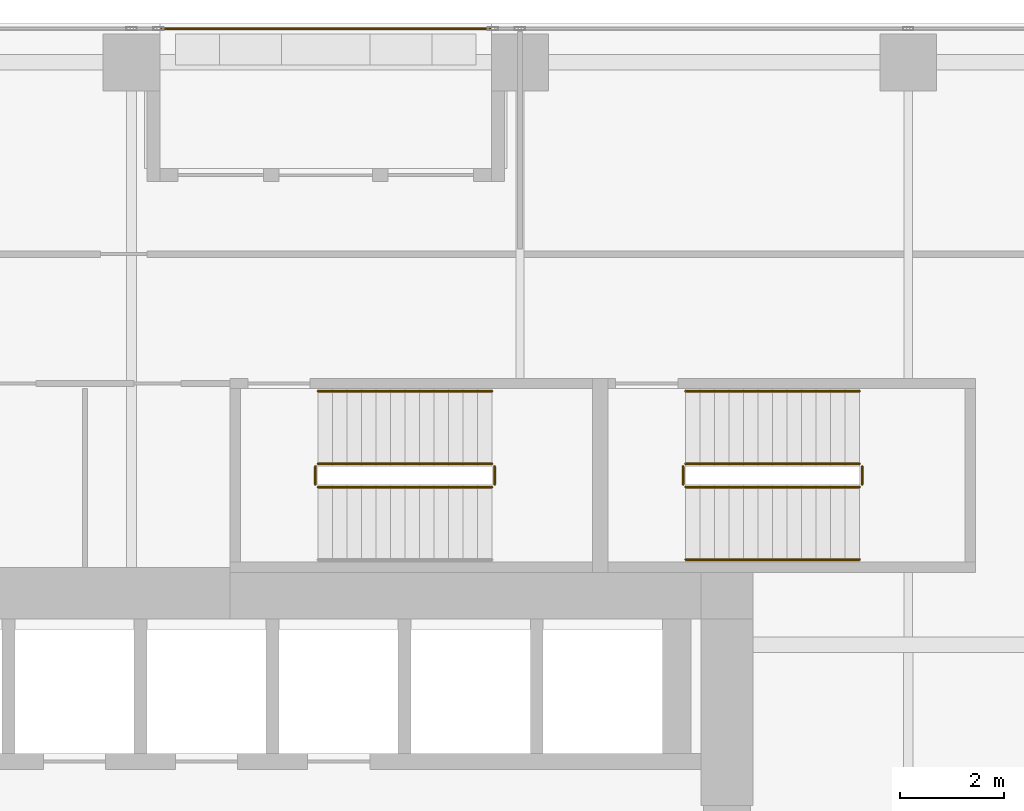
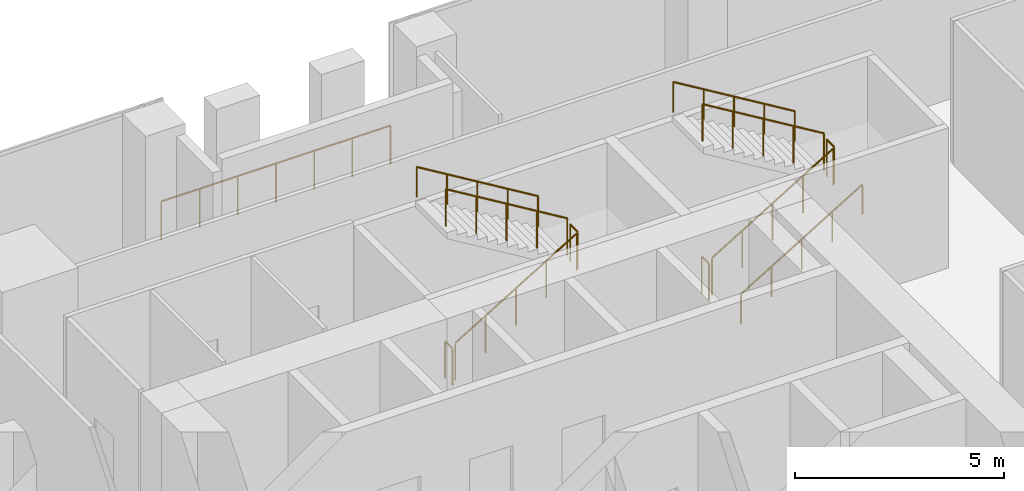
# One storey, part 33 of 34: 12 railings.
"""IFC4 building model written with IfcOpenShell, lengths in metres."""

import ifcopenshell
import ifcopenshell.guid

model = None  # the IFC model being written
_history = None  # IfcOwnerHistory: only IFC2X3 demands one
_inside = {}  # id of a spatial element -> (the spatial element, [elements in it])
_under = {}  # id of a project, library or spatial element -> (it, [spatial elements below it])
_declared = {}  # id of a project -> (the project, [libraries it declares])
_typed = {}  # id of a type object -> (the type object, [elements of that type])
_made_of = {}  # id of a material, layer set ... -> (it, [elements and type objects made of it])


def new_model(schema):
    """Start an empty IFC model of exactly this schema.

    Asked for "IFC4X3", IfcOpenShell would pick the latest addendum, in which some entities
    have other attributes; the version numbers below select the first issue.
    IFC2X3 requires an IfcOwnerHistory on every rooted entity: one is made here for all.
    """
    global model, _history
    if schema == "IFC4X3":
        model = ifcopenshell.file(schema_version=(4, 3, 0, 0))
    else:
        model = ifcopenshell.file(schema=schema)
    _inside.clear()
    _under.clear()
    _declared.clear()
    _typed.clear()
    _made_of.clear()
    _history = None
    if model.schema == "IFC2X3":
        org = make("IfcOrganization", Name="unknown")
        user = make(
            "IfcPersonAndOrganization",
            ThePerson=make("IfcPerson", FamilyName="unknown"),
            TheOrganization=org,
        )
        app = make(
            "IfcApplication",
            ApplicationDeveloper=org,
            Version="unknown",
            ApplicationFullName="unknown",
            ApplicationIdentifier="unknown",
        )
        _history = make(
            "IfcOwnerHistory",
            OwningUser=user,
            OwningApplication=app,
            ChangeAction="ADDED",
            CreationDate=0,
        )
    return model


def make(cls, **values):
    """One entity of the class cls with the attributes given. An attribute that is None is left unset."""
    return model.create_entity(
        cls, **{name: value for name, value in values.items() if value is not None}
    )


def rooted(cls, **values):
    """An entity with a GlobalId (a new one), such as an element, a storey or a relation."""
    return make(cls, GlobalId=ifcopenshell.guid.new(), OwnerHistory=_history, **values)


def si_unit(unit_type, name, prefix=None):
    """IfcSIUnit, for example si_unit("LENGTHUNIT", "METRE", prefix="MILLI")."""
    return make("IfcSIUnit", UnitType=unit_type, Prefix=prefix, Name=name)


def assignment(units):
    """IfcUnitAssignment: the units of a project."""
    return None if units is None else make("IfcUnitAssignment", Units=units)


def point(xyz):
    """IfcCartesianPoint."""
    return None if xyz is None else make("IfcCartesianPoint", Coordinates=xyz)


def direction(xyz):
    """IfcDirection."""
    return None if xyz is None else make("IfcDirection", DirectionRatios=xyz)


def frame(location, z_axis=None, x_axis=None):
    """IfcAxis2Placement3D, a coordinate frame: its origin and axes. An axis left out is left unset."""
    return make(
        "IfcAxis2Placement3D",
        Location=point(location),
        Axis=direction(z_axis),
        RefDirection=direction(x_axis),
    )


def frame_2d(location, x_axis=None):
    """IfcAxis2Placement2D, a coordinate frame in the plane: its origin and x axis."""
    return make(
        "IfcAxis2Placement2D", Location=point(location), RefDirection=direction(x_axis)
    )


def origin():
    """The frame at (0, 0, 0) with its axes left unset."""
    return frame((0.0, 0.0, 0.0))


def origin_2d():
    """The frame at (0, 0) in the plane with its x axis left unset."""
    return frame_2d((0.0, 0.0))


def place(relative_to, where):
    """IfcLocalPlacement: puts the frame where relative to a parent placement (None: the world)."""
    return make(
        "IfcLocalPlacement", PlacementRelTo=relative_to, RelativePlacement=where
    )


def context(
    kind, dimensions, precision=None, world=None, true_north=None, identifier=None
):
    """IfcGeometricRepresentationContext, for example the 3D "Model" context."""
    return make(
        "IfcGeometricRepresentationContext",
        ContextIdentifier=identifier,
        ContextType=kind,
        CoordinateSpaceDimension=dimensions,
        Precision=precision,
        WorldCoordinateSystem=world,
        TrueNorth=true_north,
    )


def subcontext(parent, identifier, kind, view, scale=None):
    """IfcGeometricRepresentationSubContext, for example "Body" below "Model"."""
    return make(
        "IfcGeometricRepresentationSubContext",
        ContextIdentifier=identifier,
        ContextType=kind,
        ParentContext=parent,
        TargetScale=scale,
        TargetView=view,
    )


def project(units=None, contexts=None):
    """IfcProject with its units and contexts."""
    return rooted(
        "IfcProject",
        Name="project",
        RepresentationContexts=contexts,
        UnitsInContext=assignment(units),
    )


def spatial(cls, under=None, at=None, **own):
    """A site, building, storey or space (cls), placed at a placement, below another one or the project."""
    s = rooted(cls, ObjectPlacement=at, **own)
    if under is not None:
        _under.setdefault(under.id(), (under, []))[1].append(s)
    return s


def profile(cls, at=None, kind="AREA", **sizes):
    """A parametric profile (cls). Its sizes go by their IFC names, for example OverallWidth=200.0."""
    return make(cls, ProfileType=kind, Position=at, **sizes)


def circle(**sizes):
    """IfcCircleProfileDef."""
    return profile("IfcCircleProfileDef", **sizes)


def extrude(swept, where, along, depth):
    """IfcExtrudedAreaSolid: the profile swept, set in the frame where, extruded along a direction by depth."""
    return make(
        "IfcExtrudedAreaSolid",
        SweptArea=swept,
        Position=where,
        ExtrudedDirection=direction(along),
        Depth=depth,
    )


def shape(context_of_items, identifier, shape_type, items):
    """IfcShapeRepresentation: the items that make up one representation, for example the "Body"."""
    return make(
        "IfcShapeRepresentation",
        ContextOfItems=context_of_items,
        RepresentationIdentifier=identifier,
        RepresentationType=shape_type,
        Items=items,
    )


def source(mapping_origin, context_of_items, identifier, shape_type, items):
    """IfcRepresentationMap: a shape defined once, which mapped items show again and again."""
    return make(
        "IfcRepresentationMap",
        MappingOrigin=mapping_origin,
        MappedRepresentation=shape(context_of_items, identifier, shape_type, items),
    )


def transform(
    local_origin,
    x_axis=None,
    y_axis=None,
    z_axis=None,
    scale=None,
    scale2=None,
    scale3=None,
    uniform=True,
):
    """IfcCartesianTransformationOperator3D, or its non-uniform kind. x_axis, y_axis, z_axis: its Axis1, 2, 3."""
    if uniform:
        return make(
            "IfcCartesianTransformationOperator3D",
            Axis1=direction(x_axis),
            Axis2=direction(y_axis),
            LocalOrigin=point(local_origin),
            Scale=scale,
            Axis3=direction(z_axis),
        )
    return make(
        "IfcCartesianTransformationOperator3DnonUniform",
        Axis1=direction(x_axis),
        Axis2=direction(y_axis),
        LocalOrigin=point(local_origin),
        Scale=scale,
        Axis3=direction(z_axis),
        Scale2=scale2,
        Scale3=scale3,
    )


def mapped(mapping_source, mapping_target):
    """IfcMappedItem: shows the shape of a source again, moved by a transform."""
    return make(
        "IfcMappedItem", MappingSource=mapping_source, MappingTarget=mapping_target
    )


def material(Name=None, Category=None):
    """IfcMaterial."""
    return make("IfcMaterial", Name=Name, Category=Category)


def made_of(thing, what):
    """Note that an element or type object is made of a material, layer set ...; save() writes the relation."""
    if what is not None:
        _made_of.setdefault(what.id(), (what, []))[1].append(thing)
    return thing


def type_object(cls, material=None, **own):
    """A type object (cls), such as IfcWallType, which elements share."""
    return made_of(rooted(cls, **own), material)


def element(
    cls,
    number,
    at=None,
    inside=None,
    cuts=None,
    type_object=None,
    material=None,
    context=None,
    identifier="Body",
    shape_type=None,
    held_by="IfcProductDefinitionShape",
    body=None,
    shapes=None,
    **own,
):
    """One element of the class cls, such as IfcWall. Its Tag is "e" and its number.

    at: its placement. inside: the storey or other place that contains it. cuts: it is an
    opening in that element (IfcRelVoidsElement). A single representation is given by context,
    identifier, shape_type and body (its items); several are given by shapes. held_by: the class
    of the entity that holds the representations. save() writes the other relations.
    """
    e = rooted(cls, Tag="e%d" % number, ObjectPlacement=at, **own)
    if body is not None:
        shapes = [shape(context, identifier, shape_type, body)]
    if shapes is not None:
        e.Representation = make(held_by, Representations=shapes)
    if inside is not None:
        _inside.setdefault(inside.id(), (inside, []))[1].append(e)
    if cuts is not None:
        rooted(
            "IfcRelVoidsElement", RelatingBuildingElement=cuts, RelatedOpeningElement=e
        )
    if type_object is not None:
        _typed.setdefault(type_object.id(), (type_object, []))[1].append(e)
    return made_of(e, material)


def aggregate(whole, parts):
    """IfcRelAggregates: a whole, such as a stair, and the parts it consists of."""
    return rooted("IfcRelAggregates", RelatingObject=whole, RelatedObjects=parts)


def save(model, path):
    """Write the relations noted so far, then the file.

    IfcRelAggregates (storeys below a building ...), IfcRelContainedInSpatialStructure (elements
    in a storey), IfcRelDefinesByType, IfcRelAssociatesMaterial and IfcRelDeclares: one each for
    every whole, place, type object, material and project.
    """
    for whole, parts in _under.values():
        aggregate(whole, parts)
    for where, things in _inside.values():
        rooted(
            "IfcRelContainedInSpatialStructure",
            RelatedElements=things,
            RelatingStructure=where,
        )
    for kind, things in _typed.values():
        rooted("IfcRelDefinesByType", RelatedObjects=things, RelatingType=kind)
    for what, things in _made_of.values():
        rooted("IfcRelAssociatesMaterial", RelatedObjects=things, RelatingMaterial=what)
    for by, libraries in _declared.values():
        rooted("IfcRelDeclares", RelatingContext=by, RelatedDefinitions=libraries)
    model.write(path)


model = new_model("IFC4")

# Units and contexts
model_context = context("Model", 3, precision=1e-05, world=origin(), true_north=direction((0.0, 1.0)))
body_context = subcontext(model_context, "Body", "Model", "MODEL_VIEW")
ifc_project = project(units=[si_unit("LENGTHUNIT", "METRE"), si_unit("AREAUNIT", "SQUARE_METRE"), si_unit("VOLUMEUNIT", "CUBIC_METRE"), si_unit("PLANEANGLEUNIT", "RADIAN"), si_unit("MASSUNIT", "GRAM", prefix="KILO")], contexts=[model_context])

# Site, building, storey
site_placement = place(None, origin())
site = spatial("IfcSite", under=ifc_project, at=site_placement, CompositionType="ELEMENT")
building_placement = place(site_placement, origin())
building = spatial("IfcBuilding", under=site, at=building_placement, Name="Khomas Fold Tower", CompositionType="ELEMENT")
storey_placement = place(building_placement, frame((0.0, 0.0, 105.89990234375)))
storey = spatial("IfcBuildingStorey", under=building, at=storey_placement, Name="L22", CompositionType="ELEMENT", Elevation=105.89990234375)

# Railings
ifc_material_1 = material(Name="Powder-coated steel", Category="steel")
railing_type_1 = type_object("IfcRailingType", Name="Balcony guard", PredefinedType="GUARDRAIL", material=ifc_material_1)
shared_shape_1 = source(origin(), body_context, "Body", "SweptSolid", [
    extrude(circle(Radius=0.02490234375, at=origin_2d()), frame((0.0, 0.0, 1.125), z_axis=(1.0, 0.0, 0.0), x_axis=(0.0, 1.0, 0.0)), (0.0, 0.0, 1.0), 6.33984375),
    extrude(circle(Radius=0.02001953125, at=origin_2d()), origin(), (0.0, 0.0, 1.0), 1.099853515625),
    extrude(circle(Radius=0.02001953125, at=origin_2d()), frame((1.056640625, 0.0, 0.0)), (0.0, 0.0, 1.0), 1.099853515625),
    extrude(circle(Radius=0.02001953125, at=origin_2d()), frame((2.11328125, 0.0, 0.0)), (0.0, 0.0, 1.0), 1.099853515625),
    extrude(circle(Radius=0.02001953125, at=origin_2d()), frame((3.169921875, 0.0, 0.0)), (0.0, 0.0, 1.0), 1.099853515625),
    extrude(circle(Radius=0.02001953125, at=origin_2d()), frame((4.2265625, 0.0, 0.0)), (0.0, 0.0, 1.0), 1.099853515625),
    extrude(circle(Radius=0.02001953125, at=origin_2d()), frame((5.283203125, 0.0, 0.0)), (0.0, 0.0, 1.0), 1.099853515625),
    extrude(circle(Radius=0.02001953125, at=origin_2d()), frame((6.33984375, 0.0, 0.0)), (0.0, 0.0, 1.0), 1.099853515625),
])
railing_1_placement = place(storey_placement, frame((12.580078125, 52.39990234375, -0.044921875)))
element("IfcRailing", 1, at=railing_1_placement, inside=storey, type_object=railing_type_1, Name="Balcony guard BAL-L22-N1", PredefinedType="GUARDRAIL", context=body_context, shape_type="MappedRepresentation", body=[
    mapped(shared_shape_1, transform((0.0, 0.0, 0.0))),
])
ifc_material_2 = material(Name="Steel balustrade", Category="steel")
railing_type_2 = type_object("IfcRailingType", Name="Stair guard", PredefinedType="GUARDRAIL", material=ifc_material_2)
shared_shape_2 = source(origin(), body_context, "Body", "SweptSolid", [
    extrude(circle(Radius=0.02392578125, at=origin_2d()), frame((0.0, 0.0, 1.076171875), z_axis=(0.0, 1.0, 0.0), x_axis=(-1.0, 0.0, 0.0)), (0.0, 0.0, 1.0), 0.349853515625),
    extrude(circle(Radius=0.02099609375, at=origin_2d()), origin(), (0.0, 0.0, 1.0), 1.052001953125),
    extrude(circle(Radius=0.02099609375, at=origin_2d()), frame((0.0, 0.349853515625, 0.0)), (0.0, 0.0, 1.0), 1.052001953125),
])
for number, where, name in (
    (2, (19.010009765625, 43.60009765625, 2.2001953125), "L22 ST1 stair guard 2"),
    (3, (15.550048828125, 43.60009765625, 0.0), "L22 ST1 stair guard 4"),
    (4, (26.110107421875, 43.60009765625, 2.2001953125), "L22 ST3 stair guard 2"),
    (5, (22.64990234375, 43.60009765625, 0.0), "L22 ST3 stair guard 4"),
):
    element("IfcRailing", number, at=place(storey_placement, frame(where)), inside=storey, type_object=railing_type_2, Name=name, PredefinedType="GUARDRAIL", context=body_context, shape_type="MappedRepresentation", body=[
        mapped(shared_shape_2, transform((0.0, 0.0, 0.0))),
    ])
shared_shape_3 = source(origin(), body_context, "Body", "SweptSolid", [
    extrude(circle(Radius=0.02392578125, at=origin_2d()), frame((0.0, 0.0, 1.076171875), z_axis=(0.855820338506, 0.0, 0.51727318527), x_axis=(0.0, 1.0, 0.0)), (0.0, 0.0, 1.0), 3.92578125),
    extrude(circle(Radius=0.02099609375, at=origin_2d()), origin(), (0.0, 0.0, 1.0), 1.052001953125),
    extrude(circle(Radius=0.02099609375, at=origin_2d()), frame((0.83984375, 0.0, 0.5078125)), (0.0, 0.0, 1.0), 1.052001953125),
    extrude(circle(Radius=0.02099609375, at=origin_2d()), frame((1.679931640625, 0.0, 1.015380859375)), (0.0, 0.0, 1.0), 1.052001953125),
    extrude(circle(Radius=0.02099609375, at=origin_2d()), frame((2.52001953125, 0.0, 1.52294921875)), (0.0, 0.0, 1.0), 1.052001953125),
    extrude(circle(Radius=0.02099609375, at=origin_2d()), frame((3.35986328125, 0.0, 2.03076171875)), (0.0, 0.0, 1.0), 1.052001953125),
])
railing_2_placement = place(storey_placement, frame((15.60009765625, 43.550048828125, 0.16943359375)))
element("IfcRailing", 6, at=railing_2_placement, inside=storey, type_object=railing_type_2, Name="L22 ST1 stair guard 1", PredefinedType="GUARDRAIL", context=body_context, shape_type="MappedRepresentation", body=[
    mapped(shared_shape_3, transform((0.0, 0.0, 0.0))),
])
shared_shape_4 = source(origin(), body_context, "Body", "SweptSolid", [
    extrude(circle(Radius=0.02392578125, at=origin_2d()), frame((0.0, 0.0, 1.076171875), z_axis=(-0.855820338506, 0.0, 0.51727318527), x_axis=(0.0, -1.0, 0.0)), (0.0, 0.0, 1.0), 3.92578125),
    extrude(circle(Radius=0.02099609375, at=origin_2d()), origin(), (0.0, 0.0, 1.0), 1.052001953125),
    extrude(circle(Radius=0.02099609375, at=origin_2d()), frame((-0.83984375, 0.0, 0.5078125)), (0.0, 0.0, 1.0), 1.052001953125),
    extrude(circle(Radius=0.02099609375, at=origin_2d()), frame((-1.679931640625, 0.0, 1.015380859375)), (0.0, 0.0, 1.0), 1.052001953125),
    extrude(circle(Radius=0.02099609375, at=origin_2d()), frame((-2.52001953125, 0.0, 1.52294921875)), (0.0, 0.0, 1.0), 1.052001953125),
    extrude(circle(Radius=0.02099609375, at=origin_2d()), frame((-3.35986328125, 0.0, 2.03076171875)), (0.0, 0.0, 1.0), 1.052001953125),
])
railing_3_placement = place(storey_placement, frame((18.9599609375, 44.0, 2.369384765625)))
element("IfcRailing", 7, at=railing_3_placement, inside=storey, type_object=railing_type_2, Name="L22 ST1 stair guard 3", PredefinedType="GUARDRAIL", context=body_context, shape_type="MappedRepresentation", body=[
    mapped(shared_shape_4, transform((0.0, 0.0, 0.0))),
])
ifc_material_3 = material(Name="Steel handrail", Category="steel")
railing_type_3 = type_object("IfcRailingType", Name="Stair handrail", PredefinedType="HANDRAIL", material=ifc_material_3)
shared_shape_5 = source(origin(), body_context, "Body", "SweptSolid", [
    extrude(circle(Radius=0.02392578125, at=origin_2d()), frame((0.0, 0.0, 0.8759765625), z_axis=(-0.855820338506, 0.0, 0.51727318527), x_axis=(0.0, -1.0, 0.0)), (0.0, 0.0, 1.0), 3.92578125),
    extrude(circle(Radius=0.02099609375, at=origin_2d()), origin(), (0.0, 0.0, 1.0), 0.851806640625),
    extrude(circle(Radius=0.02099609375, at=origin_2d()), frame((-0.83984375, 0.0, 0.5078125)), (0.0, 0.0, 1.0), 0.851806640625),
    extrude(circle(Radius=0.02099609375, at=origin_2d()), frame((-1.679931640625, 0.0, 1.015380859375)), (0.0, 0.0, 1.0), 0.851806640625),
    extrude(circle(Radius=0.02099609375, at=origin_2d()), frame((-2.52001953125, 0.0, 1.52294921875)), (0.0, 0.0, 1.0), 0.851806640625),
    extrude(circle(Radius=0.02099609375, at=origin_2d()), frame((-3.35986328125, 0.0, 2.03076171875)), (0.0, 0.0, 1.0), 0.851806640625),
])
railing_4_placement = place(storey_placement, frame((18.9599609375, 45.39990234375, 2.369384765625)))
element("IfcRailing", 8, at=railing_4_placement, inside=storey, type_object=railing_type_3, Name="L22 ST1 stair handrail 2", PredefinedType="HANDRAIL", context=body_context, shape_type="MappedRepresentation", body=[
    mapped(shared_shape_5, transform((0.0, 0.0, 0.0))),
])
shared_shape_6 = source(origin(), body_context, "Body", "SweptSolid", [
    extrude(circle(Radius=0.02392578125, at=origin_2d()), frame((0.0, 0.0, 1.076171875), z_axis=(0.855836976705, 0.0, 0.517245656632), x_axis=(0.0, 1.0, 0.0)), (0.0, 0.0, 1.0), 3.926025390625),
    extrude(circle(Radius=0.02099609375, at=origin_2d()), origin(), (0.0, 0.0, 1.0), 1.052001953125),
    extrude(circle(Radius=0.02099609375, at=origin_2d()), frame((0.840087890625, 0.0, 0.5078125)), (0.0, 0.0, 1.0), 1.052001953125),
    extrude(circle(Radius=0.02099609375, at=origin_2d()), frame((1.68017578125, 0.0, 1.015380859375)), (0.0, 0.0, 1.0), 1.052001953125),
    extrude(circle(Radius=0.02099609375, at=origin_2d()), frame((2.52001953125, 0.0, 1.52294921875)), (0.0, 0.0, 1.0), 1.052001953125),
    extrude(circle(Radius=0.02099609375, at=origin_2d()), frame((3.360107421875, 0.0, 2.03076171875)), (0.0, 0.0, 1.0), 1.052001953125),
])
railing_5_placement = place(storey_placement, frame((22.699951171875, 43.550048828125, 0.16943359375)))
element("IfcRailing", 9, at=railing_5_placement, inside=storey, type_object=railing_type_2, Name="L22 ST3 stair guard 1", PredefinedType="GUARDRAIL", context=body_context, shape_type="MappedRepresentation", body=[
    mapped(shared_shape_6, transform((0.0, 0.0, 0.0))),
])
shared_shape_7 = source(origin(), body_context, "Body", "SweptSolid", [
    extrude(circle(Radius=0.02392578125, at=origin_2d()), frame((0.0, 0.0, 1.076171875), z_axis=(-0.855836976705, 0.0, 0.517245656632), x_axis=(0.0, -1.0, 0.0)), (0.0, 0.0, 1.0), 3.926025390625),
    extrude(circle(Radius=0.02099609375, at=origin_2d()), origin(), (0.0, 0.0, 1.0), 1.052001953125),
    extrude(circle(Radius=0.02099609375, at=origin_2d()), frame((-0.840087890625, 0.0, 0.5078125)), (0.0, 0.0, 1.0), 1.052001953125),
    extrude(circle(Radius=0.02099609375, at=origin_2d()), frame((-1.68017578125, 0.0, 1.015380859375)), (0.0, 0.0, 1.0), 1.052001953125),
    extrude(circle(Radius=0.02099609375, at=origin_2d()), frame((-2.52001953125, 0.0, 1.52294921875)), (0.0, 0.0, 1.0), 1.052001953125),
    extrude(circle(Radius=0.02099609375, at=origin_2d()), frame((-3.360107421875, 0.0, 2.03076171875)), (0.0, 0.0, 1.0), 1.052001953125),
])
railing_6_placement = place(storey_placement, frame((26.06005859375, 44.0, 2.369384765625)))
element("IfcRailing", 10, at=railing_6_placement, inside=storey, type_object=railing_type_2, Name="L22 ST3 stair guard 3", PredefinedType="GUARDRAIL", context=body_context, shape_type="MappedRepresentation", body=[
    mapped(shared_shape_7, transform((0.0, 0.0, 0.0))),
])
shared_shape_8 = source(origin(), body_context, "Body", "SweptSolid", [
    extrude(circle(Radius=0.02392578125, at=origin_2d()), frame((0.0, 0.0, 0.8759765625), z_axis=(0.855836976705, 0.0, 0.517245656632), x_axis=(0.0, 1.0, 0.0)), (0.0, 0.0, 1.0), 3.926025390625),
    extrude(circle(Radius=0.02099609375, at=origin_2d()), origin(), (0.0, 0.0, 1.0), 0.851806640625),
    extrude(circle(Radius=0.02099609375, at=origin_2d()), frame((0.840087890625, 0.0, 0.5078125)), (0.0, 0.0, 1.0), 0.851806640625),
    extrude(circle(Radius=0.02099609375, at=origin_2d()), frame((1.68017578125, 0.0, 1.015380859375)), (0.0, 0.0, 1.0), 0.851806640625),
    extrude(circle(Radius=0.02099609375, at=origin_2d()), frame((2.52001953125, 0.0, 1.52294921875)), (0.0, 0.0, 1.0), 0.851806640625),
    extrude(circle(Radius=0.02099609375, at=origin_2d()), frame((3.360107421875, 0.0, 2.03076171875)), (0.0, 0.0, 1.0), 0.851806640625),
])
railing_7_placement = place(storey_placement, frame((22.699951171875, 42.14990234375, 0.16943359375)))
element("IfcRailing", 11, at=railing_7_placement, inside=storey, type_object=railing_type_3, Name="L22 ST3 stair handrail 1", PredefinedType="HANDRAIL", context=body_context, shape_type="MappedRepresentation", body=[
    mapped(shared_shape_8, transform((0.0, 0.0, 0.0))),
])
shared_shape_9 = source(origin(), body_context, "Body", "SweptSolid", [
    extrude(circle(Radius=0.02392578125, at=origin_2d()), frame((0.0, 0.0, 0.8759765625), z_axis=(-0.855836976705, 0.0, 0.517245656632), x_axis=(0.0, -1.0, 0.0)), (0.0, 0.0, 1.0), 3.926025390625),
    extrude(circle(Radius=0.02099609375, at=origin_2d()), origin(), (0.0, 0.0, 1.0), 0.851806640625),
    extrude(circle(Radius=0.02099609375, at=origin_2d()), frame((-0.840087890625, 0.0, 0.5078125)), (0.0, 0.0, 1.0), 0.851806640625),
    extrude(circle(Radius=0.02099609375, at=origin_2d()), frame((-1.68017578125, 0.0, 1.015380859375)), (0.0, 0.0, 1.0), 0.851806640625),
    extrude(circle(Radius=0.02099609375, at=origin_2d()), frame((-2.52001953125, 0.0, 1.52294921875)), (0.0, 0.0, 1.0), 0.851806640625),
    extrude(circle(Radius=0.02099609375, at=origin_2d()), frame((-3.360107421875, 0.0, 2.03076171875)), (0.0, 0.0, 1.0), 0.851806640625),
])
railing_8_placement = place(storey_placement, frame((26.06005859375, 45.39990234375, 2.369384765625)))
element("IfcRailing", 12, at=railing_8_placement, inside=storey, type_object=railing_type_3, Name="L22 ST3 stair handrail 2", PredefinedType="HANDRAIL", context=body_context, shape_type="MappedRepresentation", body=[
    mapped(shared_shape_9, transform((0.0, 0.0, 0.0))),
])

save(model, "model.ifc")
